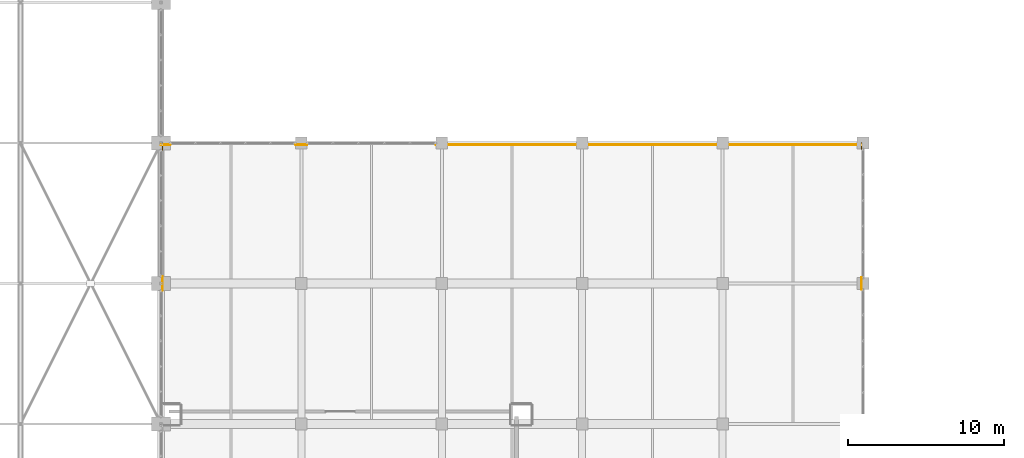
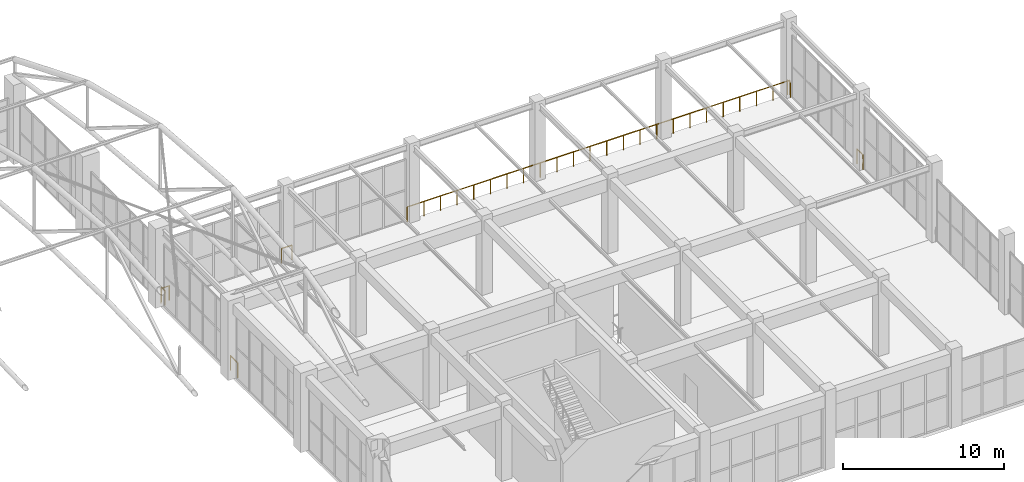
# One storey, part 223 of 223: 7 railings.
"""IFC4 building model written with IfcOpenShell, lengths in metres."""

import ifcopenshell
import ifcopenshell.guid

model = None  # the IFC model being written
_history = None  # IfcOwnerHistory: only IFC2X3 demands one
_inside = {}  # id of a spatial element -> (the spatial element, [elements in it])
_under = {}  # id of a project, library or spatial element -> (it, [spatial elements below it])
_declared = {}  # id of a project -> (the project, [libraries it declares])
_typed = {}  # id of a type object -> (the type object, [elements of that type])
_made_of = {}  # id of a material, layer set ... -> (it, [elements and type objects made of it])


def new_model(schema):
    """Start an empty IFC model of exactly this schema.

    Asked for "IFC4X3", IfcOpenShell would pick the latest addendum, in which some entities
    have other attributes; the version numbers below select the first issue.
    IFC2X3 requires an IfcOwnerHistory on every rooted entity: one is made here for all.
    """
    global model, _history
    if schema == "IFC4X3":
        model = ifcopenshell.file(schema_version=(4, 3, 0, 0))
    else:
        model = ifcopenshell.file(schema=schema)
    _inside.clear()
    _under.clear()
    _declared.clear()
    _typed.clear()
    _made_of.clear()
    _history = None
    if model.schema == "IFC2X3":
        org = make("IfcOrganization", Name="unknown")
        user = make(
            "IfcPersonAndOrganization",
            ThePerson=make("IfcPerson", FamilyName="unknown"),
            TheOrganization=org,
        )
        app = make(
            "IfcApplication",
            ApplicationDeveloper=org,
            Version="unknown",
            ApplicationFullName="unknown",
            ApplicationIdentifier="unknown",
        )
        _history = make(
            "IfcOwnerHistory",
            OwningUser=user,
            OwningApplication=app,
            ChangeAction="ADDED",
            CreationDate=0,
        )
    return model


def make(cls, **values):
    """One entity of the class cls with the attributes given. An attribute that is None is left unset."""
    return model.create_entity(
        cls, **{name: value for name, value in values.items() if value is not None}
    )


def rooted(cls, **values):
    """An entity with a GlobalId (a new one), such as an element, a storey or a relation."""
    return make(cls, GlobalId=ifcopenshell.guid.new(), OwnerHistory=_history, **values)


def si_unit(unit_type, name, prefix=None):
    """IfcSIUnit, for example si_unit("LENGTHUNIT", "METRE", prefix="MILLI")."""
    return make("IfcSIUnit", UnitType=unit_type, Prefix=prefix, Name=name)


def assignment(units):
    """IfcUnitAssignment: the units of a project."""
    return None if units is None else make("IfcUnitAssignment", Units=units)


def point(xyz):
    """IfcCartesianPoint."""
    return None if xyz is None else make("IfcCartesianPoint", Coordinates=xyz)


def direction(xyz):
    """IfcDirection."""
    return None if xyz is None else make("IfcDirection", DirectionRatios=xyz)


def frame(location, z_axis=None, x_axis=None):
    """IfcAxis2Placement3D, a coordinate frame: its origin and axes. An axis left out is left unset."""
    return make(
        "IfcAxis2Placement3D",
        Location=point(location),
        Axis=direction(z_axis),
        RefDirection=direction(x_axis),
    )


def frame_2d(location, x_axis=None):
    """IfcAxis2Placement2D, a coordinate frame in the plane: its origin and x axis."""
    return make(
        "IfcAxis2Placement2D", Location=point(location), RefDirection=direction(x_axis)
    )


def origin():
    """The frame at (0, 0, 0) with its axes left unset."""
    return frame((0.0, 0.0, 0.0))


def origin_2d():
    """The frame at (0, 0) in the plane with its x axis left unset."""
    return frame_2d((0.0, 0.0))


def place(relative_to, where):
    """IfcLocalPlacement: puts the frame where relative to a parent placement (None: the world)."""
    return make(
        "IfcLocalPlacement", PlacementRelTo=relative_to, RelativePlacement=where
    )


def context(
    kind, dimensions, precision=None, world=None, true_north=None, identifier=None
):
    """IfcGeometricRepresentationContext, for example the 3D "Model" context."""
    return make(
        "IfcGeometricRepresentationContext",
        ContextIdentifier=identifier,
        ContextType=kind,
        CoordinateSpaceDimension=dimensions,
        Precision=precision,
        WorldCoordinateSystem=world,
        TrueNorth=true_north,
    )


def subcontext(parent, identifier, kind, view, scale=None):
    """IfcGeometricRepresentationSubContext, for example "Body" below "Model"."""
    return make(
        "IfcGeometricRepresentationSubContext",
        ContextIdentifier=identifier,
        ContextType=kind,
        ParentContext=parent,
        TargetScale=scale,
        TargetView=view,
    )


def project(units=None, contexts=None):
    """IfcProject with its units and contexts."""
    return rooted(
        "IfcProject",
        Name="project",
        RepresentationContexts=contexts,
        UnitsInContext=assignment(units),
    )


def spatial(cls, under=None, at=None, **own):
    """A site, building, storey or space (cls), placed at a placement, below another one or the project."""
    s = rooted(cls, ObjectPlacement=at, **own)
    if under is not None:
        _under.setdefault(under.id(), (under, []))[1].append(s)
    return s


def profile(cls, at=None, kind="AREA", **sizes):
    """A parametric profile (cls). Its sizes go by their IFC names, for example OverallWidth=200.0."""
    return make(cls, ProfileType=kind, Position=at, **sizes)


def circle(**sizes):
    """IfcCircleProfileDef."""
    return profile("IfcCircleProfileDef", **sizes)


def extrude(swept, where, along, depth):
    """IfcExtrudedAreaSolid: the profile swept, set in the frame where, extruded along a direction by depth."""
    return make(
        "IfcExtrudedAreaSolid",
        SweptArea=swept,
        Position=where,
        ExtrudedDirection=direction(along),
        Depth=depth,
    )


def shape(context_of_items, identifier, shape_type, items):
    """IfcShapeRepresentation: the items that make up one representation, for example the "Body"."""
    return make(
        "IfcShapeRepresentation",
        ContextOfItems=context_of_items,
        RepresentationIdentifier=identifier,
        RepresentationType=shape_type,
        Items=items,
    )


def material(Name=None, Category=None):
    """IfcMaterial."""
    return make("IfcMaterial", Name=Name, Category=Category)


def made_of(thing, what):
    """Note that an element or type object is made of a material, layer set ...; save() writes the relation."""
    if what is not None:
        _made_of.setdefault(what.id(), (what, []))[1].append(thing)
    return thing


def type_object(cls, material=None, **own):
    """A type object (cls), such as IfcWallType, which elements share."""
    return made_of(rooted(cls, **own), material)


def element(
    cls,
    number,
    at=None,
    inside=None,
    cuts=None,
    type_object=None,
    material=None,
    context=None,
    identifier="Body",
    shape_type=None,
    held_by="IfcProductDefinitionShape",
    body=None,
    shapes=None,
    **own,
):
    """One element of the class cls, such as IfcWall. Its Tag is "e" and its number.

    at: its placement. inside: the storey or other place that contains it. cuts: it is an
    opening in that element (IfcRelVoidsElement). A single representation is given by context,
    identifier, shape_type and body (its items); several are given by shapes. held_by: the class
    of the entity that holds the representations. save() writes the other relations.
    """
    e = rooted(cls, Tag="e%d" % number, ObjectPlacement=at, **own)
    if body is not None:
        shapes = [shape(context, identifier, shape_type, body)]
    if shapes is not None:
        e.Representation = make(held_by, Representations=shapes)
    if inside is not None:
        _inside.setdefault(inside.id(), (inside, []))[1].append(e)
    if cuts is not None:
        rooted(
            "IfcRelVoidsElement", RelatingBuildingElement=cuts, RelatedOpeningElement=e
        )
    if type_object is not None:
        _typed.setdefault(type_object.id(), (type_object, []))[1].append(e)
    return made_of(e, material)


def aggregate(whole, parts):
    """IfcRelAggregates: a whole, such as a stair, and the parts it consists of."""
    return rooted("IfcRelAggregates", RelatingObject=whole, RelatedObjects=parts)


def save(model, path):
    """Write the relations noted so far, then the file.

    IfcRelAggregates (storeys below a building ...), IfcRelContainedInSpatialStructure (elements
    in a storey), IfcRelDefinesByType, IfcRelAssociatesMaterial and IfcRelDeclares: one each for
    every whole, place, type object, material and project.
    """
    for whole, parts in _under.values():
        aggregate(whole, parts)
    for where, things in _inside.values():
        rooted(
            "IfcRelContainedInSpatialStructure",
            RelatedElements=things,
            RelatingStructure=where,
        )
    for kind, things in _typed.values():
        rooted("IfcRelDefinesByType", RelatedObjects=things, RelatingType=kind)
    for what, things in _made_of.values():
        rooted("IfcRelAssociatesMaterial", RelatedObjects=things, RelatingMaterial=what)
    for by, libraries in _declared.values():
        rooted("IfcRelDeclares", RelatingContext=by, RelatedDefinitions=libraries)
    model.write(path)


model = new_model("IFC4")

# Units and contexts
model_context = context("Model", 3, precision=1e-05, world=origin(), true_north=direction((0.0, 1.0)))
body_context = subcontext(model_context, "Body", "Model", "MODEL_VIEW")
ifc_project = project(units=[si_unit("LENGTHUNIT", "METRE"), si_unit("AREAUNIT", "SQUARE_METRE"), si_unit("VOLUMEUNIT", "CUBIC_METRE"), si_unit("PLANEANGLEUNIT", "RADIAN"), si_unit("MASSUNIT", "GRAM", prefix="KILO")], contexts=[model_context])

# Site, building, storey
site_placement = place(None, origin())
site = spatial("IfcSite", under=ifc_project, at=site_placement, CompositionType="ELEMENT")
building_placement = place(site_placement, origin())
building = spatial("IfcBuilding", under=site, at=building_placement, Name="Dornveld Trade and Exhibition Forum", CompositionType="ELEMENT")
storey_placement = place(building_placement, frame((0.0, 0.0, 6.0)))
storey = spatial("IfcBuildingStorey", under=building, at=storey_placement, Name="L01", CompositionType="ELEMENT", Elevation=6.0)

# Railings
ifc_material = material(Name="Dark-bronze steel and laminated glass balustrade", Category="steel")
railing_type = type_object("IfcRailingType", Name="RL-BALUST-CONC", PredefinedType="BALUSTRADE", material=ifc_material)
railing_1_placement = place(storey_placement, frame((171.10009765625, 134.553955078125, 0.0)))
element("IfcRailing", 1, at=railing_1_placement, inside=storey, type_object=railing_type, Name="L01 deck edge balustrade 53", PredefinedType="BALUSTRADE", context=body_context, shape_type="SweptSolid", body=[
    extrude(circle(Radius=0.02490234375, at=origin_2d()), frame((0.0, 0.0, 1.09521484375), z_axis=(0.0, 1.0, 0.0), x_axis=(-1.0, 0.0, 0.0)), (0.0, 0.0, 1.0), 0.89208984375),
    extrude(circle(Radius=0.02099609375, at=origin_2d()), origin(), (0.0, 0.0, 1.0), 1.070068359375),
    extrude(circle(Radius=0.02099609375, at=origin_2d()), frame((0.0, 0.89208984375, 0.0)), (0.0, 0.0, 1.0), 1.070068359375),
])
railing_2_placement = place(storey_placement, frame((171.10009765625, 143.553955078125, 0.0)))
element("IfcRailing", 2, at=railing_2_placement, inside=storey, type_object=railing_type, Name="L01 deck edge balustrade 54", PredefinedType="BALUSTRADE", context=body_context, shape_type="SweptSolid", body=[
    extrude(circle(Radius=0.02490234375, at=origin_2d()), frame((0.0, 0.0, 1.09521484375), z_axis=(0.0, 1.0, 0.0), x_axis=(-1.0, 0.0, 0.0)), (0.0, 0.0, 1.0), 0.446044921875),
    extrude(circle(Radius=0.02099609375, at=origin_2d()), origin(), (0.0, 0.0, 1.0), 1.070068359375),
    extrude(circle(Radius=0.02099609375, at=origin_2d()), frame((0.0, 0.446044921875, 0.0)), (0.0, 0.0, 1.0), 1.070068359375),
])
railing_3_placement = place(storey_placement, frame((171.0, 143.89990234375, 0.0)))
element("IfcRailing", 3, at=railing_3_placement, inside=storey, type_object=railing_type, Name="L01 deck edge balustrade 55", PredefinedType="BALUSTRADE", context=body_context, shape_type="SweptSolid", body=[
    extrude(circle(Radius=0.02490234375, at=origin_2d()), frame((0.0, 0.0, 1.09521484375), z_axis=(1.0, 0.0, 0.0), x_axis=(0.0, 1.0, 0.0)), (0.0, 0.0, 1.0), 0.595947265625),
    extrude(circle(Radius=0.02099609375, at=origin_2d()), origin(), (0.0, 0.0, 1.0), 1.070068359375),
    extrude(circle(Radius=0.02099609375, at=origin_2d()), frame((0.595947265625, 0.0, 0.0)), (0.0, 0.0, 1.0), 1.070068359375),
])
railing_4_placement = place(storey_placement, frame((179.62890625, 143.89990234375, 0.0)))
element("IfcRailing", 4, at=railing_4_placement, inside=storey, type_object=railing_type, Name="L01 deck edge balustrade 56", PredefinedType="BALUSTRADE", context=body_context, shape_type="SweptSolid", body=[
    extrude(circle(Radius=0.02490234375, at=origin_2d()), frame((0.0, 0.0, 1.09521484375), z_axis=(1.0, 0.0, 0.0), x_axis=(0.0, 1.0, 0.0)), (0.0, 0.0, 1.0), 0.7421875),
    extrude(circle(Radius=0.02099609375, at=origin_2d()), origin(), (0.0, 0.0, 1.0), 1.070068359375),
    extrude(circle(Radius=0.02099609375, at=origin_2d()), frame((0.7421875, 0.0, 0.0)), (0.0, 0.0, 1.0), 1.070068359375),
])
railing_5_placement = place(storey_placement, frame((188.62890625, 143.89990234375, 0.0)))
element("IfcRailing", 5, at=railing_5_placement, inside=storey, type_object=railing_type, Name="L01 deck edge balustrade 57", PredefinedType="BALUSTRADE", context=body_context, shape_type="SweptSolid", body=[
    extrude(circle(Radius=0.02490234375, at=origin_2d()), frame((0.0, 0.0, 1.09521484375), z_axis=(1.0, 0.0, 0.0), x_axis=(0.0, 1.0, 0.0)), (0.0, 0.0, 1.0), 27.37109375),
    extrude(circle(Radius=0.02099609375, at=origin_2d()), origin(), (0.0, 0.0, 1.0), 1.070068359375),
    extrude(circle(Radius=0.02099609375, at=origin_2d()), frame((1.18994140625, 0.0, 0.0)), (0.0, 0.0, 1.0), 1.070068359375),
    extrude(circle(Radius=0.02099609375, at=origin_2d()), frame((2.380126953125, 0.0, 0.0)), (0.0, 0.0, 1.0), 1.070068359375),
    extrude(circle(Radius=0.02099609375, at=origin_2d()), frame((3.570068359375, 0.0, 0.0)), (0.0, 0.0, 1.0), 1.070068359375),
    extrude(circle(Radius=0.02099609375, at=origin_2d()), frame((4.76025390625, 0.0, 0.0)), (0.0, 0.0, 1.0), 1.070068359375),
    extrude(circle(Radius=0.02099609375, at=origin_2d()), frame((5.9501953125, 0.0, 0.0)), (0.0, 0.0, 1.0), 1.070068359375),
    extrude(circle(Radius=0.02099609375, at=origin_2d()), frame((7.140380859375, 0.0, 0.0)), (0.0, 0.0, 1.0), 1.070068359375),
    extrude(circle(Radius=0.02099609375, at=origin_2d()), frame((8.330322265625, 0.0, 0.0)), (0.0, 0.0, 1.0), 1.070068359375),
    extrude(circle(Radius=0.02099609375, at=origin_2d()), frame((9.520263671875, 0.0, 0.0)), (0.0, 0.0, 1.0), 1.070068359375),
    extrude(circle(Radius=0.02099609375, at=origin_2d()), frame((10.71044921875, 0.0, 0.0)), (0.0, 0.0, 1.0), 1.070068359375),
    extrude(circle(Radius=0.02099609375, at=origin_2d()), frame((11.900390625, 0.0, 0.0)), (0.0, 0.0, 1.0), 1.070068359375),
    extrude(circle(Radius=0.02099609375, at=origin_2d()), frame((13.090576171875, 0.0, 0.0)), (0.0, 0.0, 1.0), 1.070068359375),
    extrude(circle(Radius=0.02099609375, at=origin_2d()), frame((14.280517578125, 0.0, 0.0)), (0.0, 0.0, 1.0), 1.070068359375),
    extrude(circle(Radius=0.02099609375, at=origin_2d()), frame((15.470703125, 0.0, 0.0)), (0.0, 0.0, 1.0), 1.070068359375),
    extrude(circle(Radius=0.02099609375, at=origin_2d()), frame((16.66064453125, 0.0, 0.0)), (0.0, 0.0, 1.0), 1.070068359375),
    extrude(circle(Radius=0.02099609375, at=origin_2d()), frame((17.850830078125, 0.0, 0.0)), (0.0, 0.0, 1.0), 1.070068359375),
    extrude(circle(Radius=0.02099609375, at=origin_2d()), frame((19.040771484375, 0.0, 0.0)), (0.0, 0.0, 1.0), 1.070068359375),
    extrude(circle(Radius=0.02099609375, at=origin_2d()), frame((20.230712890625, 0.0, 0.0)), (0.0, 0.0, 1.0), 1.070068359375),
    extrude(circle(Radius=0.02099609375, at=origin_2d()), frame((21.4208984375, 0.0, 0.0)), (0.0, 0.0, 1.0), 1.070068359375),
    extrude(circle(Radius=0.02099609375, at=origin_2d()), frame((22.61083984375, 0.0, 0.0)), (0.0, 0.0, 1.0), 1.070068359375),
    extrude(circle(Radius=0.02099609375, at=origin_2d()), frame((23.801025390625, 0.0, 0.0)), (0.0, 0.0, 1.0), 1.070068359375),
    extrude(circle(Radius=0.02099609375, at=origin_2d()), frame((24.990966796875, 0.0, 0.0)), (0.0, 0.0, 1.0), 1.070068359375),
    extrude(circle(Radius=0.02099609375, at=origin_2d()), frame((26.18115234375, 0.0, 0.0)), (0.0, 0.0, 1.0), 1.070068359375),
    extrude(circle(Radius=0.02099609375, at=origin_2d()), frame((27.37109375, 0.0, 0.0)), (0.0, 0.0, 1.0), 1.070068359375),
])
railing_6_placement = place(storey_placement, frame((215.89990234375, 144.0, 0.0)))
element("IfcRailing", 6, at=railing_6_placement, inside=storey, type_object=railing_type, Name="L01 deck edge balustrade 58", PredefinedType="BALUSTRADE", context=body_context, shape_type="SweptSolid", body=[
    extrude(circle(Radius=0.02490234375, at=origin_2d()), frame((0.0, 0.0, 1.09521484375), z_axis=(0.0, -1.0, 0.0), x_axis=(1.0, 0.0, 0.0)), (0.0, 0.0, 1.0), 0.37109375),
    extrude(circle(Radius=0.02099609375, at=origin_2d()), origin(), (0.0, 0.0, 1.0), 1.070068359375),
    extrude(circle(Radius=0.02099609375, at=origin_2d()), frame((0.0, -0.37109375, 0.0)), (0.0, 0.0, 1.0), 1.070068359375),
])
railing_7_placement = place(storey_placement, frame((215.89990234375, 135.37109375, 0.0)))
element("IfcRailing", 7, at=railing_7_placement, inside=storey, type_object=railing_type, Name="L01 deck edge balustrade 59", PredefinedType="BALUSTRADE", context=body_context, shape_type="SweptSolid", body=[
    extrude(circle(Radius=0.02490234375, at=origin_2d()), frame((0.0, 0.0, 1.09521484375), z_axis=(0.0, -1.0, 0.0), x_axis=(1.0, 0.0, 0.0)), (0.0, 0.0, 1.0), 0.7421875),
    extrude(circle(Radius=0.02099609375, at=origin_2d()), origin(), (0.0, 0.0, 1.0), 1.070068359375),
    extrude(circle(Radius=0.02099609375, at=origin_2d()), frame((0.0, -0.7421875, 0.0)), (0.0, 0.0, 1.0), 1.070068359375),
])

save(model, "model.ifc")
